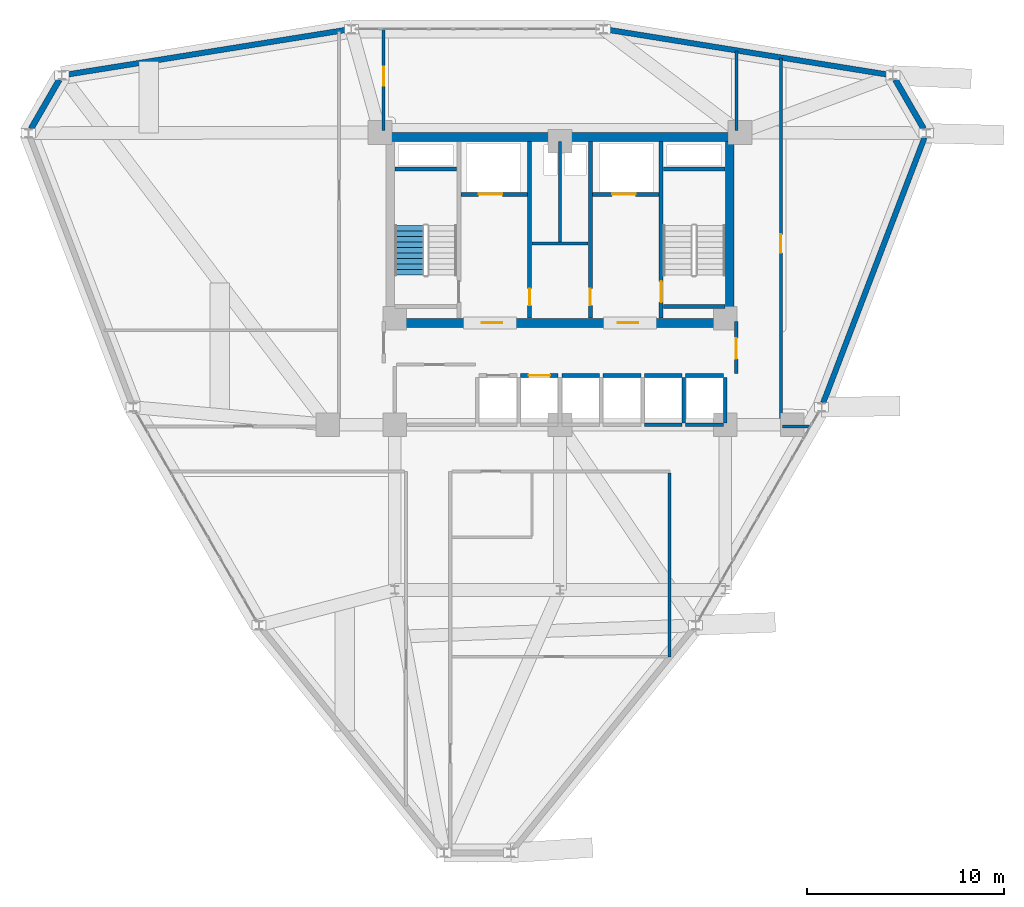
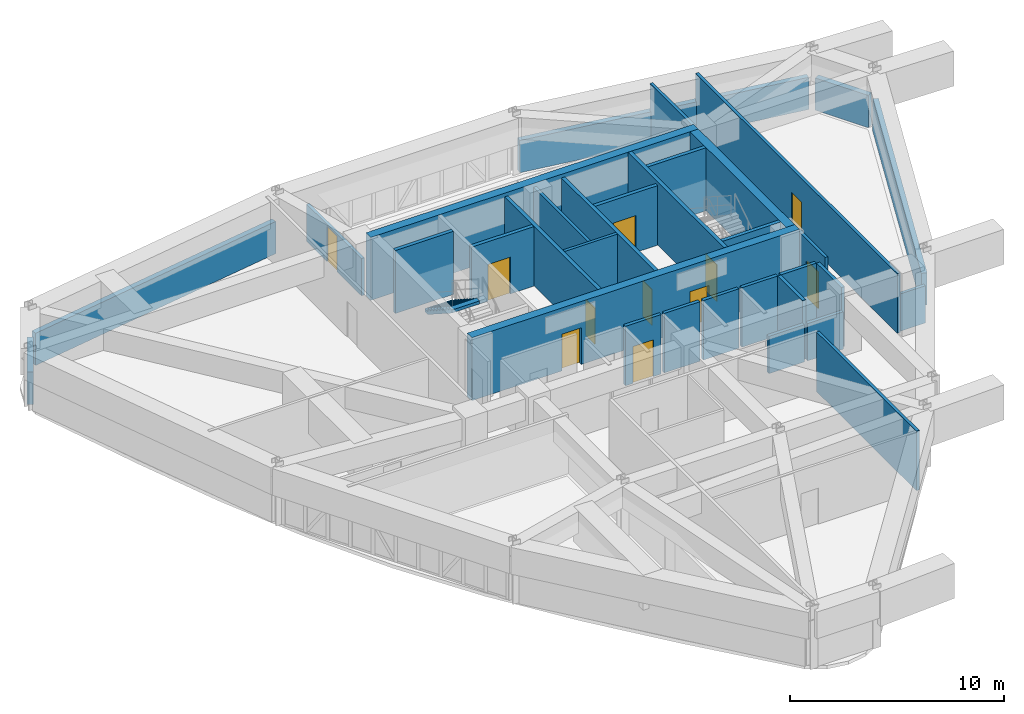
# One storey, part 12 of 15: 33 walls, 11 doors, 1 stair flight, 11 openings, 1 element without a shape of its own.
"""IFC4 building model written with IfcOpenShell, lengths in metres."""

import ifcopenshell
import ifcopenshell.guid

model = None  # the IFC model being written
_history = None  # IfcOwnerHistory: only IFC2X3 demands one
_inside = {}  # id of a spatial element -> (the spatial element, [elements in it])
_under = {}  # id of a project, library or spatial element -> (it, [spatial elements below it])
_declared = {}  # id of a project -> (the project, [libraries it declares])
_typed = {}  # id of a type object -> (the type object, [elements of that type])
_made_of = {}  # id of a material, layer set ... -> (it, [elements and type objects made of it])


def new_model(schema):
    """Start an empty IFC model of exactly this schema.

    Asked for "IFC4X3", IfcOpenShell would pick the latest addendum, in which some entities
    have other attributes; the version numbers below select the first issue.
    IFC2X3 requires an IfcOwnerHistory on every rooted entity: one is made here for all.
    """
    global model, _history
    if schema == "IFC4X3":
        model = ifcopenshell.file(schema_version=(4, 3, 0, 0))
    else:
        model = ifcopenshell.file(schema=schema)
    _inside.clear()
    _under.clear()
    _declared.clear()
    _typed.clear()
    _made_of.clear()
    _history = None
    if model.schema == "IFC2X3":
        org = make("IfcOrganization", Name="unknown")
        user = make(
            "IfcPersonAndOrganization",
            ThePerson=make("IfcPerson", FamilyName="unknown"),
            TheOrganization=org,
        )
        app = make(
            "IfcApplication",
            ApplicationDeveloper=org,
            Version="unknown",
            ApplicationFullName="unknown",
            ApplicationIdentifier="unknown",
        )
        _history = make(
            "IfcOwnerHistory",
            OwningUser=user,
            OwningApplication=app,
            ChangeAction="ADDED",
            CreationDate=0,
        )
    return model


def make(cls, **values):
    """One entity of the class cls with the attributes given. An attribute that is None is left unset."""
    return model.create_entity(
        cls, **{name: value for name, value in values.items() if value is not None}
    )


def rooted(cls, **values):
    """An entity with a GlobalId (a new one), such as an element, a storey or a relation."""
    return make(cls, GlobalId=ifcopenshell.guid.new(), OwnerHistory=_history, **values)


def si_unit(unit_type, name, prefix=None):
    """IfcSIUnit, for example si_unit("LENGTHUNIT", "METRE", prefix="MILLI")."""
    return make("IfcSIUnit", UnitType=unit_type, Prefix=prefix, Name=name)


def derived_unit(unit_type, elements):
    """IfcDerivedUnit: a product of units, each with its exponent."""
    return make(
        "IfcDerivedUnit",
        Elements=[
            make("IfcDerivedUnitElement", Unit=unit, Exponent=power)
            for unit, power in elements
        ],
        UnitType=unit_type,
    )


def assignment(units):
    """IfcUnitAssignment: the units of a project."""
    return None if units is None else make("IfcUnitAssignment", Units=units)


def point(xyz):
    """IfcCartesianPoint."""
    return None if xyz is None else make("IfcCartesianPoint", Coordinates=xyz)


def direction(xyz):
    """IfcDirection."""
    return None if xyz is None else make("IfcDirection", DirectionRatios=xyz)


def frame(location, z_axis=None, x_axis=None):
    """IfcAxis2Placement3D, a coordinate frame: its origin and axes. An axis left out is left unset."""
    return make(
        "IfcAxis2Placement3D",
        Location=point(location),
        Axis=direction(z_axis),
        RefDirection=direction(x_axis),
    )


def frame_2d(location, x_axis=None):
    """IfcAxis2Placement2D, a coordinate frame in the plane: its origin and x axis."""
    return make(
        "IfcAxis2Placement2D", Location=point(location), RefDirection=direction(x_axis)
    )


def origin():
    """The frame at (0, 0, 0) with its axes left unset."""
    return frame((0.0, 0.0, 0.0))


def place(relative_to, where):
    """IfcLocalPlacement: puts the frame where relative to a parent placement (None: the world)."""
    return make(
        "IfcLocalPlacement", PlacementRelTo=relative_to, RelativePlacement=where
    )


def context(
    kind, dimensions, precision=None, world=None, true_north=None, identifier=None
):
    """IfcGeometricRepresentationContext, for example the 3D "Model" context."""
    return make(
        "IfcGeometricRepresentationContext",
        ContextIdentifier=identifier,
        ContextType=kind,
        CoordinateSpaceDimension=dimensions,
        Precision=precision,
        WorldCoordinateSystem=world,
        TrueNorth=true_north,
    )


def subcontext(parent, identifier, kind, view, scale=None):
    """IfcGeometricRepresentationSubContext, for example "Body" below "Model"."""
    return make(
        "IfcGeometricRepresentationSubContext",
        ContextIdentifier=identifier,
        ContextType=kind,
        ParentContext=parent,
        TargetScale=scale,
        TargetView=view,
    )


def project(units=None, contexts=None):
    """IfcProject with its units and contexts."""
    return rooted(
        "IfcProject",
        Name="project",
        RepresentationContexts=contexts,
        UnitsInContext=assignment(units),
    )


def spatial(cls, under=None, at=None, **own):
    """A site, building, storey or space (cls), placed at a placement, below another one or the project."""
    s = rooted(cls, ObjectPlacement=at, **own)
    if under is not None:
        _under.setdefault(under.id(), (under, []))[1].append(s)
    return s


def polyline(points):
    """IfcPolyline through the points."""
    return make("IfcPolyline", Points=[point(p) for p in points])


def profile(cls, at=None, kind="AREA", **sizes):
    """A parametric profile (cls). Its sizes go by their IFC names, for example OverallWidth=200.0."""
    return make(cls, ProfileType=kind, Position=at, **sizes)


def rectangle(**sizes):
    """IfcRectangleProfileDef."""
    return profile("IfcRectangleProfileDef", **sizes)


def outline(outer, holes=None, kind="AREA"):
    """IfcArbitraryClosedProfileDef: a profile drawn as a closed curve; with holes, ...WithVoids."""
    if holes is None:
        return make("IfcArbitraryClosedProfileDef", ProfileType=kind, OuterCurve=outer)
    return make(
        "IfcArbitraryProfileDefWithVoids",
        ProfileType=kind,
        OuterCurve=outer,
        InnerCurves=holes,
    )


def extrude(swept, where, along, depth):
    """IfcExtrudedAreaSolid: the profile swept, set in the frame where, extruded along a direction by depth."""
    return make(
        "IfcExtrudedAreaSolid",
        SweptArea=swept,
        Position=where,
        ExtrudedDirection=direction(along),
        Depth=depth,
    )


def shape(context_of_items, identifier, shape_type, items):
    """IfcShapeRepresentation: the items that make up one representation, for example the "Body"."""
    return make(
        "IfcShapeRepresentation",
        ContextOfItems=context_of_items,
        RepresentationIdentifier=identifier,
        RepresentationType=shape_type,
        Items=items,
    )


def material(Name=None, Category=None):
    """IfcMaterial."""
    return make("IfcMaterial", Name=Name, Category=Category)


def layer(
    of_material, thickness, ventilated=None, Name=None, Category=None, Priority=None
):
    """IfcMaterialLayer: one layer of a wall or slab, of a material (None: an air gap)."""
    return make(
        "IfcMaterialLayer",
        Material=of_material,
        LayerThickness=thickness,
        IsVentilated=ventilated,
        Name=Name,
        Category=Category,
        Priority=Priority,
    )


def layer_set(layers, Name=None):
    """IfcMaterialLayerSet."""
    return make("IfcMaterialLayerSet", MaterialLayers=layers, LayerSetName=Name)


def made_of(thing, what):
    """Note that an element or type object is made of a material, layer set ...; save() writes the relation."""
    if what is not None:
        _made_of.setdefault(what.id(), (what, []))[1].append(thing)
    return thing


def type_object(cls, material=None, **own):
    """A type object (cls), such as IfcWallType, which elements share."""
    return made_of(rooted(cls, **own), material)


def element(
    cls,
    number,
    at=None,
    inside=None,
    cuts=None,
    type_object=None,
    material=None,
    context=None,
    identifier="Body",
    shape_type=None,
    held_by="IfcProductDefinitionShape",
    body=None,
    shapes=None,
    **own,
):
    """One element of the class cls, such as IfcWall. Its Tag is "e" and its number.

    at: its placement. inside: the storey or other place that contains it. cuts: it is an
    opening in that element (IfcRelVoidsElement). A single representation is given by context,
    identifier, shape_type and body (its items); several are given by shapes. held_by: the class
    of the entity that holds the representations. save() writes the other relations.
    """
    e = rooted(cls, Tag="e%d" % number, ObjectPlacement=at, **own)
    if body is not None:
        shapes = [shape(context, identifier, shape_type, body)]
    if shapes is not None:
        e.Representation = make(held_by, Representations=shapes)
    if inside is not None:
        _inside.setdefault(inside.id(), (inside, []))[1].append(e)
    if cuts is not None:
        rooted(
            "IfcRelVoidsElement", RelatingBuildingElement=cuts, RelatedOpeningElement=e
        )
    if type_object is not None:
        _typed.setdefault(type_object.id(), (type_object, []))[1].append(e)
    return made_of(e, material)


def fill(opening, filler):
    """IfcRelFillsElement: the door or window that sits in an opening."""
    return rooted(
        "IfcRelFillsElement",
        RelatingOpeningElement=opening,
        RelatedBuildingElement=filler,
    )


def aggregate(whole, parts):
    """IfcRelAggregates: a whole, such as a stair, and the parts it consists of."""
    return rooted("IfcRelAggregates", RelatingObject=whole, RelatedObjects=parts)


def save(model, path):
    """Write the relations noted so far, then the file.

    IfcRelAggregates (storeys below a building ...), IfcRelContainedInSpatialStructure (elements
    in a storey), IfcRelDefinesByType, IfcRelAssociatesMaterial and IfcRelDeclares: one each for
    every whole, place, type object, material and project.
    """
    for whole, parts in _under.values():
        aggregate(whole, parts)
    for where, things in _inside.values():
        rooted(
            "IfcRelContainedInSpatialStructure",
            RelatedElements=things,
            RelatingStructure=where,
        )
    for kind, things in _typed.values():
        rooted("IfcRelDefinesByType", RelatedObjects=things, RelatingType=kind)
    for what, things in _made_of.values():
        rooted("IfcRelAssociatesMaterial", RelatedObjects=things, RelatingMaterial=what)
    for by, libraries in _declared.values():
        rooted("IfcRelDeclares", RelatingContext=by, RelatedDefinitions=libraries)
    model.write(path)


model = new_model("IFC4")

# Units and contexts
model_context = context("Model", 3, precision=1e-05, world=origin(), true_north=direction((0.0, 1.0)))
body_context = subcontext(model_context, "Body", "Model", "MODEL_VIEW")
ifc_project = project(units=[si_unit("LENGTHUNIT", "METRE"), si_unit("AREAUNIT", "SQUARE_METRE"), si_unit("VOLUMEUNIT", "CUBIC_METRE"), si_unit("PLANEANGLEUNIT", "RADIAN"), si_unit("MASSUNIT", "GRAM", prefix="KILO"), derived_unit("THERMALTRANSMITTANCEUNIT", [(si_unit("POWERUNIT", "WATT"), 1), (si_unit("LENGTHUNIT", "METRE"), -2), (si_unit("THERMODYNAMICTEMPERATUREUNIT", "KELVIN"), -1)])], contexts=[model_context])

# Site, building, storey
site_placement = place(None, origin())
site = spatial("IfcSite", under=ifc_project, at=site_placement, CompositionType="ELEMENT")
building_placement = place(site_placement, origin())
building = spatial("IfcBuilding", under=site, at=building_placement, Name="Korsvarv Bourse and Concert Hall", CompositionType="ELEMENT")
storey_placement = place(building_placement, frame((0.0, 0.0, 165.0)))
storey = spatial("IfcBuildingStorey", under=building, at=storey_placement, Name="L42", CompositionType="ELEMENT", Elevation=165.0)

# Wall
ifc_material_1 = material(Name="Concrete C50/60", Category="concrete")
ifc_layer_1 = layer(ifc_material_1, 0.3798828125)
ifc_layer_set_1 = layer_set([ifc_layer_1], Name="Concrete C50/60")
wall_type_1 = type_object("IfcWallType", Name="WL-CORE-380", PredefinedType="SHEAR", material=ifc_layer_set_1)
wall_1_placement = place(storey_placement, frame((27.610107421875, 45.39990234375, 0.0), z_axis=(0.0, 0.0, 1.0), x_axis=(1.0, 0.0, 0.0)))
element("IfcWall", 1, at=wall_1_placement, inside=storey, type_object=wall_type_1, Name="L42 stair shaft structural wall W-L42-ST1-N", PredefinedType="SHEAR", context=body_context, shape_type="SweptSolid", body=[
    extrude(rectangle(XDim=3.139892578125, YDim=0.199951171875, at=frame_2d((1.56982421875, 0.0))), origin(), (0.0, 0.0, 1.0), 3.60009765625),
])

# Wall, opening, door
wall_2_placement = place(storey_placement, frame((41.139892578125, 37.81005859375, 0.0), z_axis=(0.0, 0.0, 1.0), x_axis=(0.0, 1.0, 0.0)))
wall_2 = element("IfcWall", 2, at=wall_2_placement, inside=storey, type_object=wall_type_1, Name="L42 stair shaft structural wall W-L42-ST2-W", PredefinedType="SHEAR", context=body_context, shape_type="SweptSolid", body=[
    extrude(rectangle(XDim=8.97998046875, YDim=0.199951171875, at=frame_2d((4.489990234375, 0.0))), origin(), (0.0, 0.0, 1.0), 3.60009765625),
])
opening_1_placement = place(wall_2_placement, frame((0.820068359375, 0.0, 0.0)))
opening_1 = element("IfcOpeningElement", 3, at=opening_1_placement, cuts=wall_2, Name="Opening D-01", PredefinedType="OPENING", context=body_context, shape_type="SweptSolid", body=[
    extrude(rectangle(XDim=1.050048828125, YDim=2.10009765625, at=frame_2d((0.52490234375, 1.050048828125))), frame((0.0, 0.10986328125, 0.0), z_axis=(0.0, -1.0, 0.0), x_axis=(1.0, 0.0, 0.0)), (0.0, 0.0, 1.0), 0.219970703125),
])
ifc_material_2 = material(Name="Steel S355 fire door", Category="steel")
door_type_1 = type_object("IfcDoorType", Name="DR-FD60", OperationType="NOTDEFINED", PredefinedType="DOOR", material=ifc_material_2)
door_1_placement = place(opening_1_placement, frame((1.050048828125, 0.0, 0.0), z_axis=(0.0, 0.0, 1.0), x_axis=(-1.0, 0.0, 0.0)))
door_1 = element("IfcDoor", 4, at=door_1_placement, inside=storey, type_object=door_type_1, Name="L42 interior door DR-L42-ST2", OperationType="SINGLE_SWING_RIGHT", OverallHeight=2.10009765625, OverallWidth=1.050048828125, PredefinedType="DOOR", context=body_context, shape_type="SweptSolid", body=[
    extrude(rectangle(XDim=1.050048828125, YDim=2.10009765625, at=frame_2d((0.52490234375, 1.050048828125))), frame((0.0, 0.02490234375, 0.0), z_axis=(0.0, -1.0, 0.0), x_axis=(1.0, 0.0, 0.0)), (0.0, 0.0, 1.0), 0.050048828125),
])
fill(opening_1, door_1)

# Walls
for number, where, z_axis, x_axis, name in (
    (5, (41.25, 45.39990234375, 0.0), (0.0, 0.0, 1.0), (1.0, 0.0, 0.0), "L42 stair shaft structural wall W-L42-ST2-N"),
    (6, (41.25, 38.39990234375, 0.0), (0.0, 0.0, 1.0), (1.0, 0.0, 0.0), "L42 stair shaft structural wall W-L42-ST2-S"),
):
    element("IfcWall", number, at=place(storey_placement, frame(where, z_axis=z_axis, x_axis=x_axis)), inside=storey, type_object=wall_type_1, Name=name, PredefinedType="SHEAR", context=body_context, shape_type="SweptSolid", body=[
        extrude(rectangle(XDim=3.139892578125, YDim=0.199951171875, at=frame_2d((1.56982421875, 0.0))), origin(), (0.0, 0.0, 1.0), 3.60009765625),
    ])
ifc_material_3 = material(Name="Concrete C55/67", Category="concrete")
ifc_layer_2 = layer(ifc_material_3, 0.449951171875)
ifc_layer_set_2 = layer_set([ifc_layer_2], Name="Concrete C55/67")
wall_type_2 = type_object("IfcWallType", Name="WL-CORE-450", PredefinedType="SHEAR", material=ifc_layer_set_2)
wall_3_placement = place(storey_placement, frame((27.14990234375, 47.02490234375, 0.0), z_axis=(0.0, 0.0, 1.0), x_axis=(1.0, 0.0, 0.0)))
element("IfcWall", 7, at=wall_3_placement, inside=storey, type_object=wall_type_2, Name="L42 North Core Shear Wall", PredefinedType="SHEAR", context=body_context, shape_type="SweptSolid", body=[
    extrude(rectangle(XDim=17.7001953125, YDim=0.449951171875, at=frame_2d((8.85009765625, 0.0))), origin(), (0.0, 0.0, 1.0), 3.60009765625),
])

# Wall, openings, doors
wall_4_placement = place(storey_placement, frame((27.14990234375, 37.574951171875, 0.0), z_axis=(0.0, 0.0, 1.0), x_axis=(1.0, 0.0, 0.0)))
wall_4 = element("IfcWall", 8, at=wall_4_placement, inside=storey, type_object=wall_type_2, Name="L42 South Core Shear Wall", PredefinedType="SHEAR", context=body_context, shape_type="SweptSolid", body=[
    extrude(rectangle(XDim=17.7001953125, YDim=0.449951171875, at=frame_2d((8.85009765625, 0.0))), origin(), (0.0, 0.0, 1.0), 3.60009765625),
])
opening_2_placement = place(wall_4_placement, frame((4.875, 0.0, 0.0)))
opening_2 = element("IfcOpeningElement", 9, at=opening_2_placement, cuts=wall_4, Name="Opening D-01", PredefinedType="OPENING", context=body_context, shape_type="SweptSolid", body=[
    extrude(rectangle(XDim=1.050048828125, YDim=2.10009765625, at=frame_2d((0.52490234375, 1.050048828125))), frame((0.0, 0.23486328125, 0.0), z_axis=(0.0, -1.0, 0.0), x_axis=(1.0, 0.0, 0.0)), (0.0, 0.0, 1.0), 0.469970703125),
])
opening_3_placement = place(wall_4_placement, frame((11.77490234375, 0.0, 0.0)))
opening_3 = element("IfcOpeningElement", 10, at=opening_3_placement, cuts=wall_4, Name="Opening D-01", PredefinedType="OPENING", context=body_context, shape_type="SweptSolid", body=[
    extrude(rectangle(XDim=1.050048828125, YDim=2.10009765625, at=frame_2d((0.52490234375, 1.050048828125))), frame((0.0, 0.23486328125, 0.0), z_axis=(0.0, -1.0, 0.0), x_axis=(1.0, 0.0, 0.0)), (0.0, 0.0, 1.0), 0.469970703125),
])
door_2_placement = place(opening_2_placement, frame((1.050048828125, 0.0, 0.0), z_axis=(0.0, 0.0, 1.0), x_axis=(-1.0, 0.0, 0.0)))
door_2 = element("IfcDoor", 11, at=door_2_placement, inside=storey, type_object=door_type_1, Name="L42 firefighting lobby fire door DR-L42-FFLW", OperationType="SINGLE_SWING_RIGHT", OverallHeight=2.10009765625, OverallWidth=1.050048828125, PredefinedType="DOOR", context=body_context, shape_type="SweptSolid", body=[
    extrude(rectangle(XDim=1.050048828125, YDim=2.10009765625, at=frame_2d((0.52490234375, 1.050048828125))), frame((0.0, 0.02490234375, 0.0), z_axis=(0.0, -1.0, 0.0), x_axis=(1.0, 0.0, 0.0)), (0.0, 0.0, 1.0), 0.050048828125),
])
fill(opening_2, door_2)
door_3_placement = place(opening_3_placement, frame((1.050048828125, 0.0, 0.0), z_axis=(0.0, 0.0, 1.0), x_axis=(-1.0, 0.0, 0.0)))
door_3 = element("IfcDoor", 12, at=door_3_placement, inside=storey, type_object=door_type_1, Name="L42 firefighting lobby fire door DR-L42-FFLE", OperationType="SINGLE_SWING_LEFT", OverallHeight=2.10009765625, OverallWidth=1.050048828125, PredefinedType="DOOR", context=body_context, shape_type="SweptSolid", body=[
    extrude(rectangle(XDim=1.050048828125, YDim=2.10009765625, at=frame_2d((0.52490234375, 1.050048828125))), frame((0.0, 0.02490234375, 0.0), z_axis=(0.0, -1.0, 0.0), x_axis=(1.0, 0.0, 0.0)), (0.0, 0.0, 1.0), 0.050048828125),
])
fill(opening_3, door_3)

# Walls
wall_5_placement = place(storey_placement, frame((44.625, 37.800048828125, 0.0), z_axis=(0.0, 0.0, 1.0), x_axis=(0.0, 1.0, 0.0)))
element("IfcWall", 13, at=wall_5_placement, inside=storey, type_object=wall_type_2, Name="L42 East Core Shear Wall", PredefinedType="SHEAR", context=body_context, shape_type="SweptSolid", body=[
    extrude(rectangle(XDim=9.0, YDim=0.449951171875, at=frame_2d((4.5, 0.0))), origin(), (0.0, 0.0, 1.0), 3.60009765625),
])
ifc_material_4 = material(Name="Precast concrete C45/55 with terracotta rainscreen", Category="concrete")
ifc_layer_3 = layer(ifc_material_4, 0.300048828125)
ifc_layer_set_3 = layer_set([ifc_layer_3], Name="Precast concrete C45/55 with terracotta rainscreen")
wall_type_3 = type_object("IfcWallType", Name="WL-EXT-TC1", PredefinedType="SOLIDWALL", material=ifc_layer_set_3)
for number, where, z_axis, x_axis, name in (
    (14, (54.48583984375, 47.436279296875, 0.0), (0.0, 0.0, 1.0), (-0.499962359318, 0.866047134552, 0.0), "L42 terracotta exterior wall EW-L42-B01"),
    (15, (10.552978515625, 49.928466796875, 0.0), (0.0, 0.0, 1.0), (-0.499962359318, -0.866047134552, 0.0), "L42 terracotta exterior wall EW-L42-B05"),
):
    element("IfcWall", number, at=place(storey_placement, frame(where, z_axis=z_axis, x_axis=x_axis)), inside=storey, type_object=wall_type_3, Name=name, PredefinedType="SOLIDWALL", context=body_context, shape_type="SweptSolid", body=[
        extrude(rectangle(XDim=2.877685546875, YDim=0.300048828125, at=frame_2d((1.43896484375, 0.0))), origin(), (0.0, 0.0, 1.0), 1.840087890625),
    ])
ifc_material_5 = material(Name="Precast concrete C45/55 with fluted terracotta pier", Category="concrete")
ifc_layer_4 = layer(ifc_material_5, 0.280029296875)
ifc_layer_set_4 = layer_set([ifc_layer_4], Name="Precast concrete C45/55 with fluted terracotta pier")
wall_type_4 = type_object("IfcWallType", Name="WL-EXT-TC2", PredefinedType="SOLIDWALL", material=ifc_layer_set_4)
wall_6_placement = place(storey_placement, frame((52.70751953125, 50.184814453125, 0.0), z_axis=(0.0, 0.0, 1.0), x_axis=(-0.98742305143, 0.158100339991, 0.0)))
element("IfcWall", 16, at=wall_6_placement, inside=storey, type_object=wall_type_4, Name="L42 terracotta exterior wall EW-L42-B02", PredefinedType="SOLIDWALL", context=body_context, shape_type="SweptSolid", body=[
    extrude(rectangle(XDim=14.47705078125, YDim=0.280029296875, at=frame_2d((7.238525390625, 0.0))), origin(), (0.0, 0.0, 1.0), 1.840087890625),
])
wall_7_placement = place(storey_placement, frame((25.1875, 52.4736328125, 0.0), z_axis=(0.0, 0.0, 1.0), x_axis=(-0.987423472948, -0.158097707357, 0.0)))
element("IfcWall", 17, at=wall_7_placement, inside=storey, type_object=wall_type_4, Name="L42 terracotta exterior wall EW-L42-B04", PredefinedType="SOLIDWALL", context=body_context, shape_type="SweptSolid", body=[
    extrude(rectangle(XDim=14.477294921875, YDim=0.280029296875, at=frame_2d((7.23876953125, 0.0))), origin(), (0.0, 0.0, 1.0), 1.840087890625),
])
wall_8_placement = place(storey_placement, frame((49.381591796875, 33.5126953125, 0.0), z_axis=(0.0, 0.0, 1.0), x_axis=(0.356778358033, 0.934189061828, 0.0)))
element("IfcWall", 18, at=wall_8_placement, inside=storey, type_object=wall_type_4, Name="L42 terracotta exterior wall EW-L42-B12", PredefinedType="SOLIDWALL", context=body_context, shape_type="SweptSolid", body=[
    extrude(rectangle(XDim=14.42822265625, YDim=0.280029296875, at=frame_2d((7.214111328125, 0.0))), origin(), (0.0, 0.0, 1.0), 1.840087890625),
])

# Wall, opening, door
ifc_material_6 = material(Name="Reinforced concrete blockwork C35/45 fire wall", Category="concrete")
ifc_layer_5 = layer(ifc_material_6, 0.199951171875)
ifc_layer_set_5 = layer_set([ifc_layer_5], Name="Reinforced concrete blockwork C35/45 fire wall")
wall_type_5 = type_object("IfcWallType", Name="WL-INT-EI120", PredefinedType="PARTITIONING", material=ifc_layer_set_5)
wall_9_placement = place(storey_placement, frame((30.969970703125, 44.10009765625, 0.0), z_axis=(0.0, 0.0, 1.0), x_axis=(1.0, 0.0, 0.0)))
wall_9 = element("IfcWall", 19, at=wall_9_placement, inside=storey, type_object=wall_type_5, Name="L42 interior partition wall W-L42-FF1-S", PredefinedType="PARTITIONING", context=body_context, shape_type="SweptSolid", body=[
    extrude(rectangle(XDim=3.380126953125, YDim=0.199951171875, at=frame_2d((1.68994140625, 0.0))), origin(), (0.0, 0.0, 1.0), 3.39990234375),
])
opening_4_placement = place(wall_9_placement, frame((0.89990234375, 0.0, 0.0)))
opening_4 = element("IfcOpeningElement", 20, at=opening_4_placement, cuts=wall_9, Name="Opening LD-1", PredefinedType="OPENING", context=body_context, shape_type="SweptSolid", body=[
    extrude(rectangle(XDim=1.199951171875, YDim=2.10009765625, at=frame_2d((0.60009765625, 1.050048828125))), frame((0.0, 0.10986328125, 0.0), z_axis=(0.0, -1.0, 0.0), x_axis=(1.0, 0.0, 0.0)), (0.0, 0.0, 1.0), 0.219970703125),
])
ifc_material_7 = material(Name="Stainless Steel S355 firefighting lift landing door", Category="steel")
door_type_2 = type_object("IfcDoorType", Name="DR-LIFT-FF", OperationType="DOUBLE_DOOR_SLIDING", PredefinedType="DOOR", material=ifc_material_7)
door_4_placement = place(opening_4_placement, origin())
door_4 = element("IfcDoor", 21, at=door_4_placement, inside=storey, type_object=door_type_2, Name="L42 lift sliding landing door LD-L42-FF1", OperationType="DOUBLE_DOOR_SLIDING", OverallHeight=2.10009765625, OverallWidth=1.199951171875, PredefinedType="DOOR", context=body_context, shape_type="SweptSolid", body=[
    extrude(rectangle(XDim=1.199951171875, YDim=2.10009765625, at=frame_2d((0.60009765625, 1.050048828125))), frame((0.0, 0.02490234375, 0.0), z_axis=(0.0, -1.0, 0.0), x_axis=(1.0, 0.0, 0.0)), (0.0, 0.0, 1.0), 0.050048828125),
])
fill(opening_4, door_4)

wall_10_placement = place(storey_placement, frame((37.64990234375, 44.10009765625, 0.0), z_axis=(0.0, 0.0, 1.0), x_axis=(1.0, 0.0, 0.0)))
wall_10 = element("IfcWall", 22, at=wall_10_placement, inside=storey, type_object=wall_type_5, Name="L42 interior partition wall W-L42-FF2-S", PredefinedType="PARTITIONING", context=body_context, shape_type="SweptSolid", body=[
    extrude(rectangle(XDim=3.380126953125, YDim=0.199951171875, at=frame_2d((1.68994140625, 0.0))), origin(), (0.0, 0.0, 1.0), 3.39990234375),
])
opening_5_placement = place(wall_10_placement, frame((1.0, 0.0, 0.0)))
opening_5 = element("IfcOpeningElement", 23, at=opening_5_placement, cuts=wall_10, Name="Opening LD-1", PredefinedType="OPENING", context=body_context, shape_type="SweptSolid", body=[
    extrude(rectangle(XDim=1.199951171875, YDim=2.10009765625, at=frame_2d((0.60009765625, 1.050048828125))), frame((0.0, 0.10986328125, 0.0), z_axis=(0.0, -1.0, 0.0), x_axis=(1.0, 0.0, 0.0)), (0.0, 0.0, 1.0), 0.219970703125),
])
door_5_placement = place(opening_5_placement, origin())
door_5 = element("IfcDoor", 24, at=door_5_placement, inside=storey, type_object=door_type_2, Name="L42 lift sliding landing door LD-L42-FF2", OperationType="DOUBLE_DOOR_SLIDING", OverallHeight=2.10009765625, OverallWidth=1.199951171875, PredefinedType="DOOR", context=body_context, shape_type="SweptSolid", body=[
    extrude(rectangle(XDim=1.199951171875, YDim=2.10009765625, at=frame_2d((0.60009765625, 1.050048828125))), frame((0.0, 0.02490234375, 0.0), z_axis=(0.0, -1.0, 0.0), x_axis=(1.0, 0.0, 0.0)), (0.0, 0.0, 1.0), 0.050048828125),
])
fill(opening_5, door_5)

wall_11_placement = place(storey_placement, frame((34.4599609375, 37.81005859375, 0.0), z_axis=(0.0, 0.0, 1.0), x_axis=(0.0, 1.0, 0.0)))
wall_11 = element("IfcWall", 25, at=wall_11_placement, inside=storey, type_object=wall_type_5, Name="L42 interior partition wall W-L42-CSB-W", PredefinedType="PARTITIONING", context=body_context, shape_type="SweptSolid", body=[
    extrude(rectangle(XDim=8.97998046875, YDim=0.199951171875, at=frame_2d((4.489990234375, 0.0))), origin(), (0.0, 0.0, 1.0), 3.39990234375),
])
opening_6_placement = place(wall_11_placement, frame((0.64990234375, 0.0, 0.0)))
opening_6 = element("IfcOpeningElement", 26, at=opening_6_placement, cuts=wall_11, Name="Opening D-05", PredefinedType="OPENING", context=body_context, shape_type="SweptSolid", body=[
    extrude(rectangle(XDim=0.85009765625, YDim=2.050048828125, at=frame_2d((0.425048828125, 1.02490234375))), frame((0.0, 0.10986328125, 0.0), z_axis=(0.0, -1.0, 0.0), x_axis=(1.0, 0.0, 0.0)), (0.0, 0.0, 1.0), 0.219970703125),
])
door_type_3 = type_object("IfcDoorType", Name="DR-FD60-850X2050", OperationType="NOTDEFINED", PredefinedType="DOOR", material=ifc_material_2)
door_6_placement = place(opening_6_placement, frame((0.85009765625, 0.0, 0.0), z_axis=(0.0, 0.0, 1.0), x_axis=(-1.0, 0.0, 0.0)))
door_6 = element("IfcDoor", 27, at=door_6_placement, inside=storey, type_object=door_type_3, Name="L42 interior door DR-L42-CSB1", OperationType="SINGLE_SWING_LEFT", OverallHeight=2.050048828125, OverallWidth=0.85009765625, PredefinedType="DOOR", context=body_context, shape_type="SweptSolid", body=[
    extrude(rectangle(XDim=0.85009765625, YDim=2.050048828125, at=frame_2d((0.425048828125, 1.02490234375))), frame((0.0, 0.02490234375, 0.0), z_axis=(0.0, -1.0, 0.0), x_axis=(1.0, 0.0, 0.0)), (0.0, 0.0, 1.0), 0.050048828125),
])
fill(opening_6, door_6)

wall_12_placement = place(storey_placement, frame((37.5400390625, 37.81005859375, 0.0), z_axis=(0.0, 0.0, 1.0), x_axis=(0.0, 1.0, 0.0)))
wall_12 = element("IfcWall", 28, at=wall_12_placement, inside=storey, type_object=wall_type_5, Name="L42 interior partition wall W-L42-CSB-E", PredefinedType="PARTITIONING", context=body_context, shape_type="SweptSolid", body=[
    extrude(rectangle(XDim=8.97998046875, YDim=0.199951171875, at=frame_2d((4.489990234375, 0.0))), origin(), (0.0, 0.0, 1.0), 3.39990234375),
])
opening_7_placement = place(wall_12_placement, frame((0.64990234375, 0.0, 0.0)))
opening_7 = element("IfcOpeningElement", 29, at=opening_7_placement, cuts=wall_12, Name="Opening D-05", PredefinedType="OPENING", context=body_context, shape_type="SweptSolid", body=[
    extrude(rectangle(XDim=0.85009765625, YDim=2.050048828125, at=frame_2d((0.425048828125, 1.02490234375))), frame((0.0, 0.10986328125, 0.0), z_axis=(0.0, -1.0, 0.0), x_axis=(1.0, 0.0, 0.0)), (0.0, 0.0, 1.0), 0.219970703125),
])
door_7_placement = place(opening_7_placement, origin())
door_7 = element("IfcDoor", 30, at=door_7_placement, inside=storey, type_object=door_type_3, Name="L42 interior door DR-L42-CSB2", OperationType="SINGLE_SWING_RIGHT", OverallHeight=2.050048828125, OverallWidth=0.85009765625, PredefinedType="DOOR", context=body_context, shape_type="SweptSolid", body=[
    extrude(rectangle(XDim=0.85009765625, YDim=2.050048828125, at=frame_2d((0.425048828125, 1.02490234375))), frame((0.0, 0.02490234375, 0.0), z_axis=(0.0, -1.0, 0.0), x_axis=(1.0, 0.0, 0.0)), (0.0, 0.0, 1.0), 0.050048828125),
])
fill(opening_7, door_7)

# Walls
ifc_material_8 = material(Name="Double-stud fire-rated acoustic partition", Category="gypsum")
ifc_layer_6 = layer(ifc_material_8, 0.159912109375)
ifc_layer_set_6 = layer_set([ifc_layer_6], Name="Double-stud fire-rated acoustic partition")
wall_type_6 = type_object("IfcWallType", Name="WL-INT-EI60", PredefinedType="PARTITIONING", material=ifc_layer_set_6)
wall_13_placement = place(storey_placement, frame((34.570068359375, 41.60009765625, 0.0), z_axis=(0.0, 0.0, 1.0), x_axis=(1.0, 0.0, 0.0)))
element("IfcWall", 31, at=wall_13_placement, inside=storey, type_object=wall_type_6, Name="L42 interior partition wall W-L42-K1", PredefinedType="PARTITIONING", context=body_context, shape_type="SweptSolid", body=[
    extrude(rectangle(XDim=2.85986328125, YDim=0.159912109375, at=frame_2d((1.429931640625, 0.0))), origin(), (0.0, 0.0, 1.0), 3.39990234375),
])
wall_14_placement = place(storey_placement, frame((36.0048828125, 41.68994140625, 0.0), z_axis=(0.0, 0.0, 1.0), x_axis=(0.0, 1.0, 0.0)))
element("IfcWall", 32, at=wall_14_placement, inside=storey, type_object=wall_type_6, Name="L42 interior partition wall W-L42-K2", PredefinedType="PARTITIONING", context=body_context, shape_type="SweptSolid", body=[
    extrude(rectangle(XDim=5.10009765625, YDim=0.159912109375, at=frame_2d((2.550048828125, 0.0))), origin(), (0.0, 0.0, 1.0), 3.39990234375),
])

# Wall, opening, door
wall_15_placement = place(storey_placement, frame((44.9599609375, 35.0, 0.0), z_axis=(0.0, 0.0, 1.0), x_axis=(0.0, 1.0, 0.0)))
wall_15 = element("IfcWall", 33, at=wall_15_placement, inside=storey, type_object=wall_type_6, Name="L42 interior partition wall W-L42-LOB-E", PredefinedType="PARTITIONING", context=body_context, shape_type="SweptSolid", body=[
    extrude(rectangle(XDim=2.64990234375, YDim=0.159912109375, at=frame_2d((1.324951171875, 0.0))), origin(), (0.0, 0.0, 1.0), 3.39990234375),
])
opening_8_placement = place(wall_15_placement, frame((0.75, 0.0, 0.0)))
opening_8 = element("IfcOpeningElement", 34, at=opening_8_placement, cuts=wall_15, Name="Opening D-01", PredefinedType="OPENING", context=body_context, shape_type="SweptSolid", body=[
    extrude(rectangle(XDim=1.050048828125, YDim=2.10009765625, at=frame_2d((0.52490234375, 1.050048828125))), frame((0.0, 0.08984375, 0.0), z_axis=(0.0, -1.0, 0.0), x_axis=(1.0, 0.0, 0.0)), (0.0, 0.0, 1.0), 0.179931640625),
])
door_8_placement = place(opening_8_placement, origin())
door_8 = element("IfcDoor", 35, at=door_8_placement, inside=storey, type_object=door_type_1, Name="L42 interior door DR-L42-LOBE", OperationType="SINGLE_SWING_LEFT", OverallHeight=2.10009765625, OverallWidth=1.050048828125, PredefinedType="DOOR", context=body_context, shape_type="SweptSolid", body=[
    extrude(rectangle(XDim=1.050048828125, YDim=2.10009765625, at=frame_2d((0.52490234375, 1.050048828125))), frame((0.0, 0.02490234375, 0.0), z_axis=(0.0, -1.0, 0.0), x_axis=(1.0, 0.0, 0.0)), (0.0, 0.0, 1.0), 0.050048828125),
])
fill(opening_8, door_8)

wall_16_placement = place(storey_placement, frame((47.22509765625, 32.159912109375, 0.0), z_axis=(0.0, 0.0, 1.0), x_axis=(0.0, 1.0, 0.0)))
wall_16 = element("IfcWall", 36, at=wall_16_placement, inside=storey, type_object=wall_type_6, Name="L42 interior partition wall W-L42-TCOR-03", PredefinedType="PARTITIONING", context=body_context, shape_type="SweptSolid", body=[
    extrude(rectangle(XDim=18.882568359375, YDim=0.159912109375, at=frame_2d((9.44140625, 0.0))), origin(), (0.0, 0.0, 1.0), 3.39990234375),
])
opening_9_placement = place(wall_16_placement, frame((8.96630859375, 0.0, 0.0)))
opening_9 = element("IfcOpeningElement", 37, at=opening_9_placement, cuts=wall_16, Name="Opening D-02", PredefinedType="OPENING", context=body_context, shape_type="SweptSolid", body=[
    extrude(rectangle(XDim=0.949951171875, YDim=2.050048828125, at=frame_2d((0.47509765625, 1.02490234375))), frame((0.0, 0.08984375, 0.0), z_axis=(0.0, -1.0, 0.0), x_axis=(1.0, 0.0, 0.0)), (0.0, 0.0, 1.0), 0.179931640625),
])
ifc_material_9 = material(Name="Timber and steel acoustic fire door", Category="wood")
door_type_4 = type_object("IfcDoorType", Name="DR-FD30", OperationType="NOTDEFINED", PredefinedType="DOOR", material=ifc_material_9)
door_9_placement = place(opening_9_placement, origin())
door_9 = element("IfcDoor", 38, at=door_9_placement, inside=storey, type_object=door_type_4, Name="L42 interior door DR-L42-TCOR-S081", OperationType="SINGLE_SWING_RIGHT", OverallHeight=2.050048828125, OverallWidth=0.949951171875, PredefinedType="DOOR", context=body_context, shape_type="SweptSolid", body=[
    extrude(rectangle(XDim=0.949951171875, YDim=2.050048828125, at=frame_2d((0.47509765625, 1.02490234375))), frame((0.0, 0.02490234375, 0.0), z_axis=(0.0, -1.0, 0.0), x_axis=(1.0, 0.0, 0.0)), (0.0, 0.0, 1.0), 0.050048828125),
])
fill(opening_9, door_9)

# Wall
wall_17_placement = place(storey_placement, frame((41.574951171875, 20.59765625, 0.0), z_axis=(0.0, 0.0, 1.0), x_axis=(0.0, 1.0, 0.0)))
element("IfcWall", 39, at=wall_17_placement, inside=storey, type_object=wall_type_6, Name="L42 interior partition wall W-L42-TCOR-08", PredefinedType="PARTITIONING", context=body_context, shape_type="SweptSolid", body=[
    extrude(rectangle(XDim=9.345458984375, YDim=0.159912109375, at=frame_2d((4.6728515625, 0.0))), origin(), (0.0, 0.0, 1.0), 3.39990234375),
])

# Wall, opening, door
wall_18_placement = place(storey_placement, frame((27.034912109375, 47.340087890625, 0.0), z_axis=(0.0, 0.0, 1.0), x_axis=(0.0, 1.0, 0.0)))
wall_18 = element("IfcWall", 40, at=wall_18_placement, inside=storey, type_object=wall_type_6, Name="L42 interior partition wall W-L42-TCOR-09", PredefinedType="PARTITIONING", context=body_context, shape_type="SweptSolid", body=[
    extrude(rectangle(XDim=5.1474609375, YDim=0.159912109375, at=frame_2d((2.57373046875, 0.0))), origin(), (0.0, 0.0, 1.0), 2.1298828125),
])
opening_10_placement = place(wall_18_placement, frame((2.29638671875, 0.0, 0.0)))
opening_10 = element("IfcOpeningElement", 41, at=opening_10_placement, cuts=wall_18, Name="Opening D-06", PredefinedType="OPENING", context=body_context, shape_type="SweptSolid", body=[
    extrude(rectangle(XDim=0.949951171875, YDim=2.02001953125, at=frame_2d((0.47509765625, 1.010009765625))), frame((0.0, 0.08984375, 0.0), z_axis=(0.0, -1.0, 0.0), x_axis=(1.0, 0.0, 0.0)), (0.0, 0.0, 1.0), 0.179931640625),
])
door_type_5 = type_object("IfcDoorType", Name="DR-FD30-950X2020", OperationType="NOTDEFINED", PredefinedType="DOOR", material=ifc_material_9)
door_10_placement = place(opening_10_placement, origin())
door_10 = element("IfcDoor", 42, at=door_10_placement, inside=storey, type_object=door_type_5, Name="L42 interior door DR-L42-TCOR-S042", OperationType="SINGLE_SWING_RIGHT", OverallHeight=2.02001953125, OverallWidth=0.949951171875, PredefinedType="DOOR", context=body_context, shape_type="SweptSolid", body=[
    extrude(rectangle(XDim=0.949951171875, YDim=2.02001953125, at=frame_2d((0.47509765625, 1.010009765625))), frame((0.0, 0.02490234375, 0.0), z_axis=(0.0, -1.0, 0.0), x_axis=(1.0, 0.0, 0.0)), (0.0, 0.0, 1.0), 0.050048828125),
])
fill(opening_10, door_10)

# Walls
wall_19_placement = place(storey_placement, frame((44.965087890625, 47.340087890625, 0.0), z_axis=(0.0, 0.0, 1.0), x_axis=(0.0, 1.0, 0.0)))
element("IfcWall", 43, at=wall_19_placement, inside=storey, type_object=wall_type_6, Name="L42 interior partition wall W-L42-TCOR-10", PredefinedType="PARTITIONING", context=body_context, shape_type="SweptSolid", body=[
    extrude(rectangle(XDim=4.064453125, YDim=0.159912109375, at=frame_2d((2.0322265625, 0.0))), origin(), (0.0, 0.0, 1.0), 3.39990234375),
])
wall_20_placement = place(storey_placement, frame((47.306884765625, 32.31494140625, 0.0), z_axis=(0.0, 0.0, 1.0), x_axis=(1.0, 0.0, 0.0)))
element("IfcWall", 44, at=wall_20_placement, inside=storey, type_object=wall_type_6, Name="L42 interior partition wall W-L42-TCOR-11", PredefinedType="PARTITIONING", context=body_context, shape_type="SweptSolid", body=[
    extrude(rectangle(XDim=1.40673828125, YDim=0.159912109375, at=frame_2d((0.703369140625, 0.0))), origin(), (0.0, 0.0, 1.0), 2.1298828125),
])

# Wall, opening, door
ifc_material_10 = material(Name="Gypsum-clad autoclaved concrete shaft wall C30/37", Category="concrete")
ifc_layer_7 = layer(ifc_material_10, 0.179931640625)
ifc_layer_set_7 = layer_set([ifc_layer_7], Name="Gypsum-clad autoclaved concrete shaft wall C30/37")
wall_type_7 = type_object("IfcWallType", Name="WL-INT-EI90", PredefinedType="PARTITIONING", material=ifc_layer_set_7)
wall_21_placement = place(storey_placement, frame((33.989990234375, 34.89990234375, 0.0), z_axis=(0.0, 0.0, 1.0), x_axis=(1.0, 0.0, 0.0)))
wall_21 = element("IfcWall", 45, at=wall_21_placement, inside=storey, type_object=wall_type_7, Name="L42 interior partition wall W-L42-SHFN-PM2", PredefinedType="PARTITIONING", context=body_context, shape_type="SweptSolid", body=[
    extrude(rectangle(XDim=1.919921875, YDim=0.179931640625, at=frame_2d((0.9599609375, 0.0))), origin(), (0.0, 0.0, 1.0), 3.39990234375),
])
opening_11_placement = place(wall_21_placement, frame((0.409912109375, 0.0, 0.0)))
opening_11 = element("IfcOpeningElement", 46, at=opening_11_placement, cuts=wall_21, Name="Opening LD-2", PredefinedType="OPENING", context=body_context, shape_type="SweptSolid", body=[
    extrude(rectangle(XDim=1.10009765625, YDim=2.10009765625, at=frame_2d((0.550048828125, 1.050048828125))), frame((0.0, 0.10009765625, 0.0), z_axis=(0.0, -1.0, 0.0), x_axis=(1.0, 0.0, 0.0)), (0.0, 0.0, 1.0), 0.199951171875),
])
ifc_material_11 = material(Name="Brushed stainless Steel S355 lift landing door", Category="steel")
door_type_6 = type_object("IfcDoorType", Name="DR-LIFT-P", OperationType="DOUBLE_DOOR_SLIDING", PredefinedType="DOOR", material=ifc_material_11)
door_11_placement = place(opening_11_placement, origin())
door_11 = element("IfcDoor", 47, at=door_11_placement, inside=storey, type_object=door_type_6, Name="L42 lift sliding landing door LD-L42-PM2", OperationType="DOUBLE_DOOR_SLIDING", OverallHeight=2.10009765625, OverallWidth=1.10009765625, PredefinedType="DOOR", context=body_context, shape_type="SweptSolid", body=[
    extrude(rectangle(XDim=1.10009765625, YDim=2.10009765625, at=frame_2d((0.550048828125, 1.050048828125))), frame((0.0, 0.02490234375, 0.0), z_axis=(0.0, -1.0, 0.0), x_axis=(1.0, 0.0, 0.0)), (0.0, 0.0, 1.0), 0.050048828125),
])
fill(opening_11, door_11)

# Walls
wall_22_placement = place(storey_placement, frame((36.090087890625, 34.89990234375, 0.0), z_axis=(0.0, 0.0, 1.0), x_axis=(1.0, 0.0, 0.0)))
element("IfcWall", 48, at=wall_22_placement, inside=storey, type_object=wall_type_7, Name="L42 interior partition wall W-L42-SHFN-PH1", PredefinedType="PARTITIONING", context=body_context, shape_type="SweptSolid", body=[
    extrude(rectangle(XDim=1.919921875, YDim=0.179931640625, at=frame_2d((0.9599609375, 0.0))), origin(), (0.0, 0.0, 1.0), 3.39990234375),
])
wall_23_placement = place(storey_placement, frame((38.18994140625, 34.89990234375, 0.0), z_axis=(0.0, 0.0, 1.0), x_axis=(1.0, 0.0, 0.0)))
element("IfcWall", 49, at=wall_23_placement, inside=storey, type_object=wall_type_7, Name="L42 interior partition wall W-L42-SHFN-PH2", PredefinedType="PARTITIONING", context=body_context, shape_type="SweptSolid", body=[
    extrude(rectangle(XDim=1.920166015625, YDim=0.179931640625, at=frame_2d((0.9599609375, 0.0))), origin(), (0.0, 0.0, 1.0), 3.39990234375),
])
wall_24_placement = place(storey_placement, frame((40.2900390625, 34.89990234375, 0.0), z_axis=(0.0, 0.0, 1.0), x_axis=(1.0, 0.0, 0.0)))
element("IfcWall", 50, at=wall_24_placement, inside=storey, type_object=wall_type_7, Name="L42 interior partition wall W-L42-SHFN-PO1", PredefinedType="PARTITIONING", context=body_context, shape_type="SweptSolid", body=[
    extrude(rectangle(XDim=1.919921875, YDim=0.179931640625, at=frame_2d((0.9599609375, 0.0))), origin(), (0.0, 0.0, 1.0), 3.39990234375),
])
wall_25_placement = place(storey_placement, frame((40.2900390625, 32.39990234375, 0.0), z_axis=(0.0, 0.0, 1.0), x_axis=(1.0, 0.0, 0.0)))
element("IfcWall", 51, at=wall_25_placement, inside=storey, type_object=wall_type_7, Name="L42 interior partition wall W-L42-SHFS-PO1", PredefinedType="PARTITIONING", context=body_context, shape_type="SweptSolid", body=[
    extrude(rectangle(XDim=1.919921875, YDim=0.179931640625, at=frame_2d((0.9599609375, 0.0))), origin(), (0.0, 0.0, 1.0), 2.1298828125),
])
wall_26_placement = place(storey_placement, frame((42.389892578125, 34.89990234375, 0.0), z_axis=(0.0, 0.0, 1.0), x_axis=(1.0, 0.0, 0.0)))
element("IfcWall", 52, at=wall_26_placement, inside=storey, type_object=wall_type_7, Name="L42 interior partition wall W-L42-SHFN-PO2", PredefinedType="PARTITIONING", context=body_context, shape_type="SweptSolid", body=[
    extrude(rectangle(XDim=1.920166015625, YDim=0.179931640625, at=frame_2d((0.9599609375, 0.0))), origin(), (0.0, 0.0, 1.0), 3.39990234375),
])
wall_27_placement = place(storey_placement, frame((42.389892578125, 32.39990234375, 0.0), z_axis=(0.0, 0.0, 1.0), x_axis=(1.0, 0.0, 0.0)))
element("IfcWall", 53, at=wall_27_placement, inside=storey, type_object=wall_type_7, Name="L42 interior partition wall W-L42-SHFS-PO2", PredefinedType="PARTITIONING", context=body_context, shape_type="SweptSolid", body=[
    extrude(rectangle(XDim=1.920166015625, YDim=0.179931640625, at=frame_2d((0.9599609375, 0.0))), origin(), (0.0, 0.0, 1.0), 2.1298828125),
])
for number, where, z_axis, x_axis, name in (
    (54, (42.300048828125, 32.489990234375, 0.0), (0.0, 0.0, 1.0), (0.0, 1.0, 0.0), "L42 interior partition wall W-L42-SHFW-PO2"),
    (55, (44.39990234375, 32.489990234375, 0.0), (0.0, 0.0, 1.0), (0.0, 1.0, 0.0), "L42 interior partition wall W-L42-SHFE-END"),
):
    element("IfcWall", number, at=place(storey_placement, frame(where, z_axis=z_axis, x_axis=x_axis)), inside=storey, type_object=wall_type_7, Name=name, PredefinedType="PARTITIONING", context=body_context, shape_type="SweptSolid", body=[
        extrude(rectangle(XDim=2.320068359375, YDim=0.179931640625, at=frame_2d((1.16015625, 0.0))), origin(), (0.0, 0.0, 1.0), 3.39990234375),
    ])

# Stair, stair flight
ifc_material_12 = material(Name="Precast concrete C45/55", Category="concrete")
stair_type = type_object("IfcStairType", Name="STR-TYPE-04", PredefinedType="HALF_TURN_STAIR", material=ifc_material_12)
stair_placement = place(storey_placement, origin())
stair = element("IfcStair", 56, at=stair_placement, inside=storey, type_object=stair_type, Name="L42 Tower West Exit Stair ST-T1", PredefinedType="HALF_TURN_STAIR")
stair_flight_type = type_object("IfcStairFlightType", Name="FLT-TYPE-04", PredefinedType="STRAIGHT", material=ifc_material_12)
stair_flight_placement = place(storey_placement, frame((28.35009765625, 42.52001953125, 1.800048828125), z_axis=(0.0, 0.0, 1.0), x_axis=(0.0, -1.0, 0.0)))
stair_flight = element("IfcStairFlight", 57, at=stair_flight_placement, type_object=stair_flight_type, Name="ST-T1 flight 2", NumberOfRisers=10, NumberOfTreads=9, PredefinedType="STRAIGHT", RiserHeight=0.18, TreadLength=0.28, context=body_context, shape_type="SweptSolid", body=[
    extrude(outline(polyline([(0.0, 0.0), (0.0, 0.179931640625), (0.280029296875, 0.179931640625), (0.280029296875, 0.360107421875), (0.56005859375, 0.360107421875), (0.56005859375, 0.5400390625), (0.840087890625, 0.5400390625), (0.840087890625, 0.719970703125), (1.1201171875, 0.719970703125), (1.1201171875, 0.89990234375), (1.39990234375, 0.89990234375), (1.39990234375, 1.080078125), (1.679931640625, 1.080078125), (1.679931640625, 1.260009765625), (1.9599609375, 1.260009765625), (1.9599609375, 1.43994140625), (2.239990234375, 1.43994140625), (2.239990234375, 1.6201171875), (2.52001953125, 1.6201171875), (2.52001953125, 1.800048828125), (2.52001953125, 1.44189453125), (0.277099609375, 0.0), (0.0, 0.0)])), frame((0.0, 0.75, 0.0), z_axis=(0.0, -1.0, 0.0), x_axis=(1.0, 0.0, 0.0)), (0.0, 0.0, 1.0), 1.5),
])
aggregate(stair, [stair_flight])

save(model, "model.ifc")
